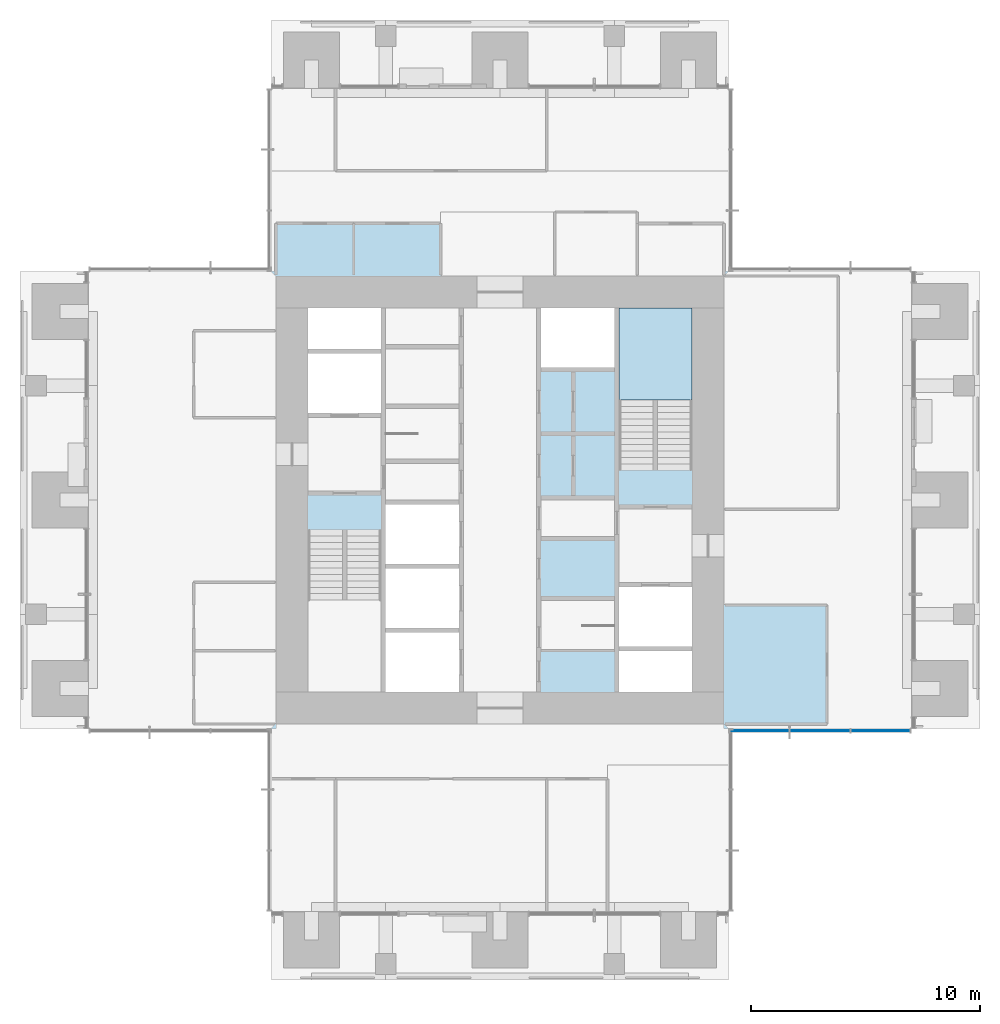
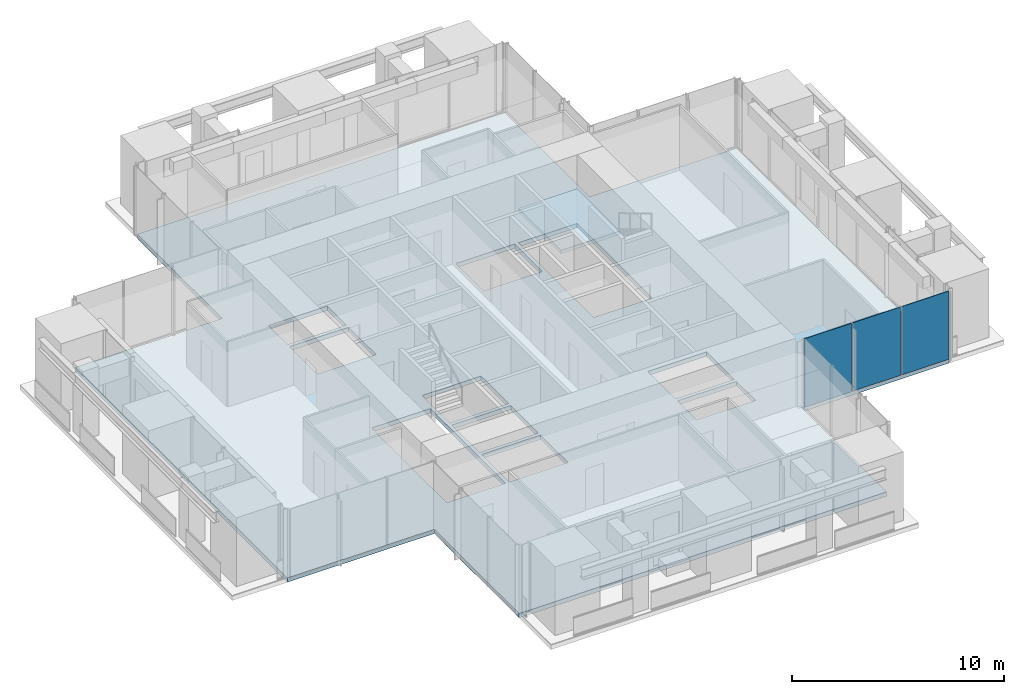
# One storey, part 9 of 17: 3 plates, 2 slabs, 2 elements without a shape of their own.
"""IFC4 building model written with IfcOpenShell, lengths in metres."""

from ifc_helpers import new_model, si_unit, direction, frame, origin, origin_2d, place, context, subcontext, project, spatial, polyline, rectangle, outline, extrude, material, layer, layer_set, type_object, element, aggregate, save


model = new_model("IFC4")

# Units and contexts
model_context = context("Model", 3, precision=1e-05, world=origin(), true_north=direction((0.0, 1.0)))
body_context = subcontext(model_context, "Body", "Model", "MODEL_VIEW")
ifc_project = project(units=[si_unit("LENGTHUNIT", "METRE"), si_unit("AREAUNIT", "SQUARE_METRE"), si_unit("VOLUMEUNIT", "CUBIC_METRE"), si_unit("PLANEANGLEUNIT", "RADIAN"), si_unit("MASSUNIT", "GRAM", prefix="KILO")], contexts=[model_context])

# Site, building, storey
site_placement = place(None, origin())
site = spatial("IfcSite", under=ifc_project, at=site_placement, CompositionType="ELEMENT")
building_placement = place(site_placement, origin())
building = spatial("IfcBuilding", under=site, at=building_placement, Name="Svetlomir Tower", CompositionType="ELEMENT")
storey_placement = place(building_placement, frame((0.0, 0.0, 222.5)))
storey = spatial("IfcBuildingStorey", under=building, at=storey_placement, Name="L53", CompositionType="ELEMENT", Elevation=222.5)

# Curtain wall, plates
ifc_material_1 = material(Name="Bronze anodised aluminium curtain wall", Category="aluminium")
curtain_wall_type = type_object("IfcCurtainWallType", Name="CURTAIN WALL CW1 TOWER OFFICE", PredefinedType="NOTDEFINED", material=ifc_material_1)
curtain_wall_placement = place(storey_placement, origin())
curtain_wall = element("IfcCurtainWall", 1, at=curtain_wall_placement, inside=storey, type_object=curtain_wall_type, Name="Curtain wall CW1 L53", PredefinedType="NOTDEFINED")
ifc_material_2 = material(Name="Tinted double glazed unit", Category="glass")
ifc_layer_1 = layer(ifc_material_2, 0.031982421875)
ifc_layer_set_1 = layer_set([ifc_layer_1], Name="Tinted double glazed unit")
plate_type = type_object("IfcPlateType", Name="CW1 GLAZED PANEL 32", PredefinedType="CURTAIN_PANEL", material=ifc_layer_set_1)
plate_1_placement = place(storey_placement, frame((32.349609375, 10.89990234375, 0.06494140625), z_axis=(0.0, 0.0, 1.0), x_axis=(1.0, 0.0, 0.0)))
plate_1 = element("IfcPlate", 2, at=plate_1_placement, type_object=plate_type, Name="CW1 panel 1.1", PredefinedType="CURTAIN_PANEL", context=body_context, shape_type="SweptSolid", body=[
    extrude(rectangle(XDim=2.569091796875, YDim=0.031982421875, at=origin_2d()), origin(), (0.0, 0.0, 1.0), 3.93505859375),
])
plate_2_placement = place(storey_placement, frame((35.0, 10.89990234375, 0.06494140625), z_axis=(0.0, 0.0, 1.0), x_axis=(1.0, 0.0, 0.0)))
plate_2 = element("IfcPlate", 3, at=plate_2_placement, type_object=plate_type, Name="CW1 panel 2.1", PredefinedType="CURTAIN_PANEL", context=body_context, shape_type="SweptSolid", body=[
    extrude(rectangle(XDim=2.6015625, YDim=0.031982421875, at=origin_2d()), origin(), (0.0, 0.0, 1.0), 3.93505859375),
])
plate_3_placement = place(storey_placement, frame((37.650390625, 10.89990234375, 0.06494140625), z_axis=(0.0, 0.0, 1.0), x_axis=(1.0, 0.0, 0.0)))
plate_3 = element("IfcPlate", 4, at=plate_3_placement, type_object=plate_type, Name="CW1 panel 3.1", PredefinedType="CURTAIN_PANEL", context=body_context, shape_type="SweptSolid", body=[
    extrude(rectangle(XDim=2.569091796875, YDim=0.031982421875, at=origin_2d()), origin(), (0.0, 0.0, 1.0), 3.93505859375),
])
aggregate(curtain_wall, [plate_1, plate_2, plate_3])

# Slab
ifc_material_3 = material(Name="Concrete C60/75", Category="concrete")
ifc_layer_2 = layer(ifc_material_3, 0.25)
ifc_layer_set_2 = layer_set([ifc_layer_2], Name="Concrete C60/75")
slab_type_1 = type_object("IfcSlabType", Name="FLOOR SLAB 250", PredefinedType="FLOOR", material=ifc_layer_set_2)
slab_1_placement = place(storey_placement, frame((0.0, 0.0, -0.25)))
element("IfcSlab", 5, at=slab_1_placement, inside=storey, type_object=slab_type_1, Name="L53 floor slab", PredefinedType="FLOOR", context=body_context, shape_type="SweptSolid", body=[
    extrude(outline(polyline([(11.0, 3.0), (31.0, 3.0), (31.0, 11.0), (39.0, 11.0), (39.0, 31.0), (31.0, 31.0), (31.0, 39.0), (11.0, 39.0), (11.0, 31.0), (3.0, 31.0), (3.0, 11.0), (11.0, 11.0), (11.0, 3.0)]), holes=[polyline([(12.60009765625, 24.800048828125), (15.800048828125, 24.800048828125), (15.800048828125, 27.39990234375), (12.60009765625, 27.39990234375), (12.60009765625, 24.800048828125)]), polyline([(26.199951171875, 14.60009765625), (29.39990234375, 14.60009765625), (29.39990234375, 17.199951171875), (26.199951171875, 17.199951171875), (26.199951171875, 14.60009765625)]), polyline([(16.0, 12.60009765625), (19.199951171875, 12.60009765625), (19.199951171875, 15.199951171875), (16.0, 15.199951171875), (16.0, 12.60009765625)]), polyline([(16.0, 15.39990234375), (19.199951171875, 15.39990234375), (19.199951171875, 18.0), (16.0, 18.0), (16.0, 15.39990234375)]), polyline([(16.0, 18.199951171875), (19.199951171875, 18.199951171875), (19.199951171875, 20.800048828125), (16.0, 20.800048828125), (16.0, 18.199951171875)]), polyline([(22.800048828125, 26.800048828125), (26.0, 26.800048828125), (26.0, 29.39990234375), (22.800048828125, 29.39990234375), (22.800048828125, 26.800048828125)]), polyline([(12.60009765625, 27.60009765625), (15.800048828125, 27.60009765625), (15.800048828125, 29.39990234375), (12.60009765625, 29.39990234375), (12.60009765625, 27.60009765625)]), polyline([(26.199951171875, 12.60009765625), (29.39990234375, 12.60009765625), (29.39990234375, 14.39990234375), (26.199951171875, 14.39990234375), (26.199951171875, 12.60009765625)]), polyline([(12.60009765625, 12.60009765625), (15.800048828125, 12.60009765625), (15.800048828125, 19.679931640625), (12.60009765625, 19.679931640625), (12.60009765625, 12.60009765625)]), polyline([(26.199951171875, 22.320068359375), (29.39990234375, 22.320068359375), (29.39990234375, 29.39990234375), (26.199951171875, 29.39990234375), (26.199951171875, 22.320068359375)])]), origin(), (0.0, 0.0, 1.0), 0.25),
])

# Stair, slab
ifc_material_4 = material(Name="Concrete C60/75", Category="concrete")
stair_type = type_object("IfcStairType", Name="EXIT STAIR 3200 RISE 4000", PredefinedType="HALF_TURN_STAIR", material=ifc_material_4)
stair_placement = place(storey_placement, origin())
stair = element("IfcStair", 6, at=stair_placement, inside=storey, type_object=stair_type, Name="Stair S2 L53 to L54", PredefinedType="HALF_TURN_STAIR")
ifc_material_5 = material(Name="Concrete C60/75", Category="concrete")
ifc_layer_3 = layer(ifc_material_5, 0.199951171875)
ifc_layer_set_3 = layer_set([ifc_layer_3], Name="Concrete C60/75")
slab_type_2 = type_object("IfcSlabType", Name="STAIR LANDING 200", PredefinedType="LANDING", material=ifc_layer_set_3)
slab_2_placement = place(storey_placement, frame((0.0, 0.0, 1.800048828125)))
slab_2 = element("IfcSlab", 7, at=slab_2_placement, type_object=slab_type_2, Name="S2 landing 1", PredefinedType="LANDING", context=body_context, shape_type="SweptSolid", body=[
    extrude(outline(polyline([(26.199951171875, 25.3798828125), (29.39990234375, 25.3798828125), (29.39990234375, 29.39990234375), (26.199951171875, 29.39990234375), (26.199951171875, 25.3798828125)])), origin(), (0.0, 0.0, 1.0), 0.199951171875),
])
aggregate(stair, [slab_2])

save(model, "model.ifc")
